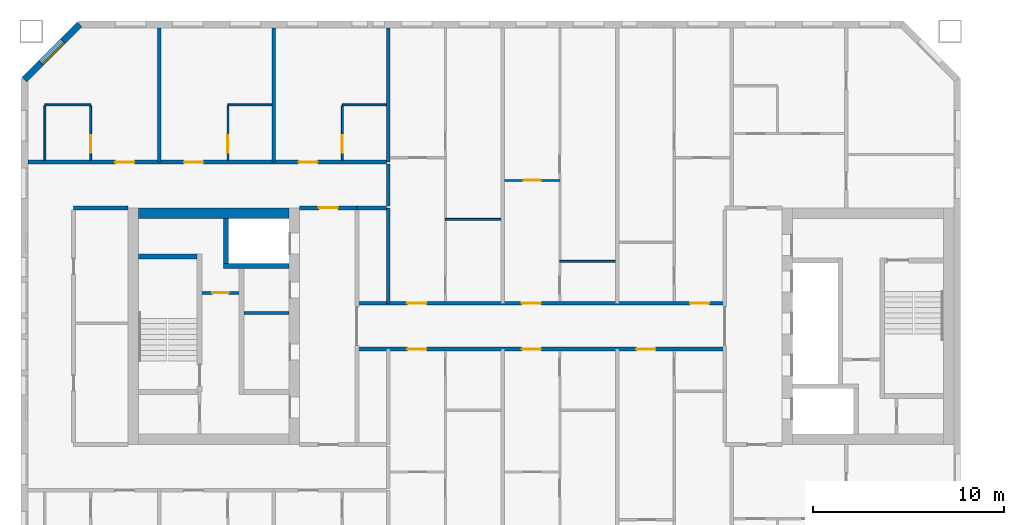
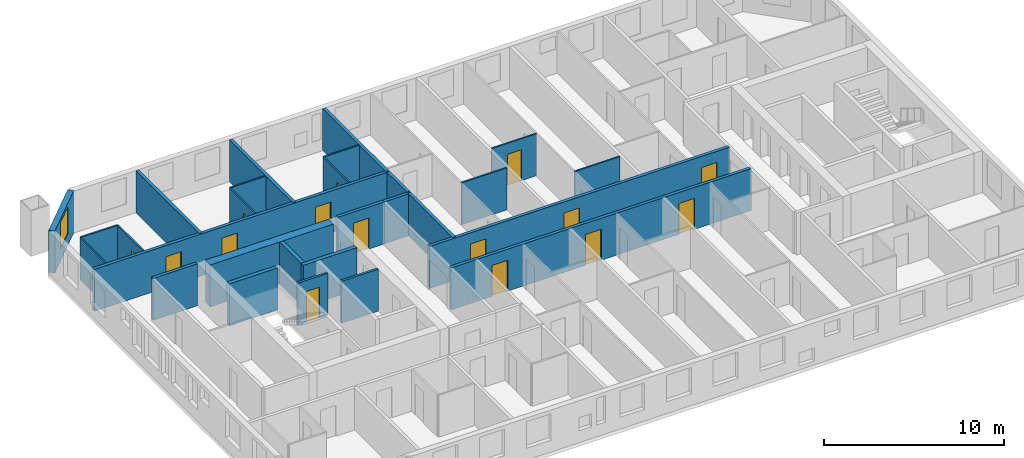
# One storey, part 5 of 16: 28 walls, 15 doors, 1 window, 16 openings.
"""IFC4 building model written with IfcOpenShell, lengths in metres."""

from ifc_helpers import new_model, si_unit, direction, frame, frame_2d, origin, place, context, subcontext, project, spatial, rectangle, extrude, material, layer, layer_set, type_object, element, fill, save


model = new_model("IFC4")

# Units and contexts
model_context = context("Model", 3, precision=1e-05, world=origin(), true_north=direction((0.0, 1.0)))
body_context = subcontext(model_context, "Body", "Model", "MODEL_VIEW")
ifc_project = project(units=[si_unit("LENGTHUNIT", "METRE"), si_unit("AREAUNIT", "SQUARE_METRE"), si_unit("VOLUMEUNIT", "CUBIC_METRE"), si_unit("PLANEANGLEUNIT", "RADIAN"), si_unit("MASSUNIT", "GRAM", prefix="KILO")], contexts=[model_context])

# Site, building, storey
site_placement = place(None, origin())
site = spatial("IfcSite", under=ifc_project, at=site_placement, CompositionType="ELEMENT")
building_placement = place(site_placement, origin())
building = spatial("IfcBuilding", under=site, at=building_placement, Name="Tuart Gate Housing", CompositionType="ELEMENT")
storey_placement = place(building_placement, frame((0.0, 0.0, 133.0)))
storey = spatial("IfcBuildingStorey", under=building, at=storey_placement, Name="L37", CompositionType="ELEMENT", Elevation=133.0)

# Wall, opening, window
ifc_material_1 = material(Name="Brick", Category="masonry")
ifc_layer_1 = layer(ifc_material_1, 0.360107421875)
ifc_layer_set_1 = layer_set([ifc_layer_1], Name="Brick pier and spandrel wall 360")
wall_type_1 = type_object("IfcWallType", Name="Brick pier and spandrel wall 360", PredefinedType="STANDARD", material=ifc_layer_set_1)
wall_1_placement = place(storey_placement, frame((29.82470703125, 85.820068359375, 0.0), z_axis=(0.0, 0.0, 1.0), x_axis=(-0.707106781187, -0.707106781187, 0.0)))
wall_1 = element("IfcWall", 1, at=wall_1_placement, inside=storey, type_object=wall_type_1, Name="External wall A-NW L37", PredefinedType="STANDARD", context=body_context, shape_type="SweptSolid", body=[
    extrude(rectangle(XDim=4.09375, YDim=0.360107421875, at=frame_2d((2.046875, 0.0))), origin(), (0.0, 0.0, 1.0), 2.85009765625),
])
opening_1_placement = place(wall_1_placement, frame((1.2470703125, 0.0, 0.800048828125)))
opening_1 = element("IfcOpeningElement", 2, at=opening_1_placement, cuts=wall_1, Name="Opening W1", PredefinedType="OPENING", context=body_context, shape_type="SweptSolid", body=[
    extrude(rectangle(XDim=1.60009765625, YDim=1.800048828125, at=frame_2d((0.800048828125, 0.89990234375))), frame((0.0, 0.18994140625, 0.0), z_axis=(0.0, -1.0, 0.0), x_axis=(1.0, 0.0, 0.0)), (0.0, 0.0, 1.0), 0.380126953125),
])
ifc_material_2 = material(Name="Aluminium frame with clear glass", Category="aluminium")
window_type = type_object("IfcWindowType", Name="Punched window 1600 x 1800", PartitioningType="SINGLE_PANEL", PredefinedType="WINDOW", material=ifc_material_2)
window_placement = place(opening_1_placement, origin())
window = element("IfcWindow", 3, at=window_placement, inside=storey, type_object=window_type, Name="Window W1", OverallHeight=1.800048828125, OverallWidth=1.60009765625, PartitioningType="SINGLE_PANEL", PredefinedType="WINDOW", context=body_context, shape_type="SweptSolid", body=[
    extrude(rectangle(XDim=1.60009765625, YDim=1.800048828125, at=frame_2d((0.800048828125, 0.89990234375))), frame((0.0, 0.150146484375, 0.0), z_axis=(0.0, -1.0, 0.0), x_axis=(1.0, 0.0, 0.0)), (0.0, 0.0, 1.0), 0.06005859375),
])
fill(opening_1, window)

# Wall, opening, door
ifc_material_3 = material(Name="Plasterboard partition")
ifc_layer_2 = layer(ifc_material_3, 0.14990234375)
ifc_layer_set_2 = layer_set([ifc_layer_2], Name="Core partition 150")
wall_type_2 = type_object("IfcWallType", Name="Core partition 150", PredefinedType="PARTITIONING", material=ifc_layer_set_2)
wall_2_placement = place(storey_placement, frame((38.18505859375, 71.75, 0.0), z_axis=(0.0, 0.0, 1.0), x_axis=(-1.0, 0.0, 0.0)))
wall_2 = element("IfcWall", 4, at=wall_2_placement, inside=storey, type_object=wall_type_2, Name="Core partition AK.3", PredefinedType="PARTITIONING", context=body_context, shape_type="SweptSolid", body=[
    extrude(rectangle(XDim=1.949951171875, YDim=0.14990234375, at=frame_2d((0.97509765625, 0.0))), origin(), (0.0, 0.0, 1.0), 2.85009765625),
])
opening_2_placement = place(wall_2_placement, frame((0.550048828125, 0.0, 0.0)))
opening_2 = element("IfcOpeningElement", 5, at=opening_2_placement, cuts=wall_2, Name="Opening D1424", PredefinedType="OPENING", context=body_context, shape_type="SweptSolid", body=[
    extrude(rectangle(XDim=0.85009765625, YDim=2.10009765625, at=frame_2d((0.425048828125, 1.050048828125))), frame((0.0, 0.0849609375, 0.0), z_axis=(0.0, -1.0, 0.0), x_axis=(1.0, 0.0, 0.0)), (0.0, 0.0, 1.0), 0.169921875),
])
ifc_material_4 = material(Name="Steel fire door", Category="steel")
door_type_1 = type_object("IfcDoorType", Name="Riser door 850 x 2100 RH", OperationType="SINGLE_SWING_RIGHT", PredefinedType="DOOR", material=ifc_material_4)
door_1_placement = place(opening_2_placement, frame((0.85009765625, 0.0, 0.0), z_axis=(0.0, 0.0, 1.0), x_axis=(-1.0, 0.0, 0.0)))
door_1 = element("IfcDoor", 6, at=door_1_placement, inside=storey, type_object=door_type_1, Name="Service room door AK.E1", OperationType="SINGLE_SWING_RIGHT", OverallHeight=2.10009765625, OverallWidth=0.85009765625, PredefinedType="DOOR", context=body_context, shape_type="SweptSolid", body=[
    extrude(rectangle(XDim=0.85009765625, YDim=2.10009765625, at=frame_2d((0.425048828125, 1.050048828125))), frame((0.0, 0.025146484375, 0.0), z_axis=(0.0, -1.0, 0.0), x_axis=(1.0, 0.0, 0.0)), (0.0, 0.0, 1.0), 0.050048828125),
])
fill(opening_2, door_1)

# Walls
wall_3_placement = place(storey_placement, frame((40.81005859375, 70.699951171875, 0.0), z_axis=(0.0, 0.0, 1.0), x_axis=(-1.0, 0.0, 0.0)))
element("IfcWall", 7, at=wall_3_placement, inside=storey, type_object=wall_type_2, Name="Core partition AK.4", PredefinedType="PARTITIONING", context=body_context, shape_type="SweptSolid", body=[
    extrude(rectangle(XDim=2.375, YDim=0.14990234375, at=frame_2d((1.1875, 0.0))), origin(), (0.0, 0.0, 1.0), 2.85009765625),
])
ifc_material_5 = material(Name="Concrete C50", Category="concrete")
ifc_layer_3 = layer(ifc_material_5, 0.25)
ifc_layer_set_3 = layer_set([ifc_layer_3], Name="Core wall 250 C50")
wall_type_3 = type_object("IfcWallType", Name="Core wall 250 C50", PredefinedType="SHEAR", material=ifc_layer_set_3)
wall_4_placement = place(storey_placement, frame((35.985107421875, 73.64990234375, 0.0), z_axis=(0.0, 0.0, 1.0), x_axis=(-1.0, 0.0, 0.0)))
element("IfcWall", 8, at=wall_4_placement, inside=storey, type_object=wall_type_3, Name="Core wall AK.1", PredefinedType="SHEAR", context=body_context, shape_type="SweptSolid", body=[
    extrude(rectangle(XDim=3.0751953125, YDim=0.25, at=frame_2d((1.53759765625, 0.0))), origin(), (0.0, 0.0, 1.0), 2.85009765625),
])
wall_5_placement = place(storey_placement, frame((40.81005859375, 73.14990234375, 0.0), z_axis=(0.0, 0.0, 1.0), x_axis=(-1.0, 0.0, 0.0)))
element("IfcWall", 9, at=wall_5_placement, inside=storey, type_object=wall_type_3, Name="Core wall AK.2", PredefinedType="SHEAR", context=body_context, shape_type="SweptSolid", body=[
    extrude(rectangle(XDim=3.445068359375, YDim=0.25, at=frame_2d((1.72265625, 0.0))), origin(), (0.0, 0.0, 1.0), 2.85009765625),
])
wall_6_placement = place(storey_placement, frame((37.489990234375, 75.64990234375, 0.0), z_axis=(0.0, 0.0, 1.0), x_axis=(0.0, -1.0, 0.0)))
element("IfcWall", 10, at=wall_6_placement, inside=storey, type_object=wall_type_3, Name="Core wall AK.8", PredefinedType="SHEAR", context=body_context, shape_type="SweptSolid", body=[
    extrude(rectangle(XDim=2.375, YDim=0.25, at=frame_2d((1.1875, 0.0))), origin(), (0.0, 0.0, 1.0), 2.85009765625),
])
ifc_material_6 = material(Name="Concrete C50", Category="concrete")
ifc_layer_4 = layer(ifc_material_6, 0.550048828125)
ifc_layer_set_4 = layer_set([ifc_layer_4], Name="Core wall 550 C50")
wall_type_4 = type_object("IfcWallType", Name="Core wall 550 C50", PredefinedType="SHEAR", material=ifc_layer_set_4)
wall_7_placement = place(storey_placement, frame((40.81005859375, 75.925048828125, 0.0), z_axis=(0.0, 0.0, 1.0), x_axis=(-1.0, 0.0, 0.0)))
element("IfcWall", 11, at=wall_7_placement, inside=storey, type_object=wall_type_4, Name="Core wall AK south", PredefinedType="SHEAR", context=body_context, shape_type="SweptSolid", body=[
    extrude(rectangle(XDim=7.900146484375, YDim=0.550048828125, at=frame_2d((3.9501953125, 0.0))), origin(), (0.0, 0.0, 1.0), 2.85009765625),
])

# Wall, openings, doors
ifc_material_7 = material(Name="Concrete masonry 15 MPa", Category="masonry")
ifc_layer_5 = layer(ifc_material_7, 0.199951171875)
ifc_layer_set_5 = layer_set([ifc_layer_5], Name="Corridor wall masonry 200")
wall_type_5 = type_object("IfcWallType", Name="Corridor wall masonry 200", PredefinedType="PARTITIONING", material=ifc_layer_set_5)
wall_8_placement = place(storey_placement, frame((44.360107421875, 68.800048828125, 0.0), z_axis=(0.0, 0.0, 1.0), x_axis=(1.0, 0.0, 0.0)))
wall_8 = element("IfcWall", 12, at=wall_8_placement, inside=storey, type_object=wall_type_5, Name="Corridor wall masonry 200", PredefinedType="PARTITIONING", context=body_context, shape_type="SweptSolid", body=[
    extrude(rectangle(XDim=19.27978515625, YDim=0.199951171875, at=frame_2d((9.639892578125, 0.0))), origin(), (0.0, 0.0, 1.0), 2.85009765625),
])
opening_3_placement = place(wall_8_placement, frame((14.639892578125, 0.0, 0.0)))
opening_3 = element("IfcOpeningElement", 13, at=opening_3_placement, cuts=wall_8, Name="Opening D1437", PredefinedType="OPENING", context=body_context, shape_type="SweptSolid", body=[
    extrude(rectangle(XDim=1.0, YDim=2.10009765625, at=frame_2d((0.5, 1.050048828125))), frame((0.0, 0.10986328125, 0.0), z_axis=(0.0, -1.0, 0.0), x_axis=(1.0, 0.0, 0.0)), (0.0, 0.0, 1.0), 0.219970703125),
])
opening_4_placement = place(wall_8_placement, frame((8.639892578125, 0.0, 0.0)))
opening_4 = element("IfcOpeningElement", 14, at=opening_4_placement, cuts=wall_8, Name="Opening D1438", PredefinedType="OPENING", context=body_context, shape_type="SweptSolid", body=[
    extrude(rectangle(XDim=1.0, YDim=2.10009765625, at=frame_2d((0.5, 1.050048828125))), frame((0.0, 0.10986328125, 0.0), z_axis=(0.0, -1.0, 0.0), x_axis=(1.0, 0.0, 0.0)), (0.0, 0.0, 1.0), 0.219970703125),
])
opening_5_placement = place(wall_8_placement, frame((2.639892578125, 0.0, 0.0)))
opening_5 = element("IfcOpeningElement", 15, at=opening_5_placement, cuts=wall_8, Name="Opening D1439", PredefinedType="OPENING", context=body_context, shape_type="SweptSolid", body=[
    extrude(rectangle(XDim=1.0, YDim=2.10009765625, at=frame_2d((0.5, 1.050048828125))), frame((0.0, 0.10986328125, 0.0), z_axis=(0.0, -1.0, 0.0), x_axis=(1.0, 0.0, 0.0)), (0.0, 0.0, 1.0), 0.219970703125),
])
ifc_material_8 = material(Name="Timber door leaf in steel frame", Category="steel")
door_type_2 = type_object("IfcDoorType", Name="Flat entrance door 1000 RH", OperationType="SINGLE_SWING_RIGHT", PredefinedType="DOOR", material=ifc_material_8)
door_2_placement = place(opening_3_placement, frame((1.0, 0.0, 0.0), z_axis=(0.0, 0.0, 1.0), x_axis=(-1.0, 0.0, 0.0)))
door_2 = element("IfcDoor", 16, at=door_2_placement, inside=storey, type_object=door_type_2, Name="Flat entrance door", OperationType="SINGLE_SWING_RIGHT", OverallHeight=2.10009765625, OverallWidth=1.0, PredefinedType="DOOR", context=body_context, shape_type="SweptSolid", body=[
    extrude(rectangle(XDim=1.0, YDim=2.10009765625, at=frame_2d((0.5, 1.050048828125))), frame((0.0, 0.025146484375, 0.0), z_axis=(0.0, -1.0, 0.0), x_axis=(1.0, 0.0, 0.0)), (0.0, 0.0, 1.0), 0.050048828125),
])
fill(opening_3, door_2)
door_3_placement = place(opening_4_placement, frame((1.0, 0.0, 0.0), z_axis=(0.0, 0.0, 1.0), x_axis=(-1.0, 0.0, 0.0)))
door_3 = element("IfcDoor", 17, at=door_3_placement, inside=storey, type_object=door_type_2, Name="Flat entrance door", OperationType="SINGLE_SWING_RIGHT", OverallHeight=2.10009765625, OverallWidth=1.0, PredefinedType="DOOR", context=body_context, shape_type="SweptSolid", body=[
    extrude(rectangle(XDim=1.0, YDim=2.10009765625, at=frame_2d((0.5, 1.050048828125))), frame((0.0, 0.025146484375, 0.0), z_axis=(0.0, -1.0, 0.0), x_axis=(1.0, 0.0, 0.0)), (0.0, 0.0, 1.0), 0.050048828125),
])
fill(opening_4, door_3)
door_4_placement = place(opening_5_placement, frame((1.0, 0.0, 0.0), z_axis=(0.0, 0.0, 1.0), x_axis=(-1.0, 0.0, 0.0)))
door_4 = element("IfcDoor", 18, at=door_4_placement, inside=storey, type_object=door_type_2, Name="Flat entrance door", OperationType="SINGLE_SWING_RIGHT", OverallHeight=2.10009765625, OverallWidth=1.0, PredefinedType="DOOR", context=body_context, shape_type="SweptSolid", body=[
    extrude(rectangle(XDim=1.0, YDim=2.10009765625, at=frame_2d((0.5, 1.050048828125))), frame((0.0, 0.025146484375, 0.0), z_axis=(0.0, -1.0, 0.0), x_axis=(1.0, 0.0, 0.0)), (0.0, 0.0, 1.0), 0.050048828125),
])
fill(opening_5, door_4)

wall_9_placement = place(storey_placement, frame((44.360107421875, 71.199951171875, 0.0), z_axis=(0.0, 0.0, 1.0), x_axis=(1.0, 0.0, 0.0)))
wall_9 = element("IfcWall", 19, at=wall_9_placement, inside=storey, type_object=wall_type_5, Name="Corridor wall masonry 200", PredefinedType="PARTITIONING", context=body_context, shape_type="SweptSolid", body=[
    extrude(rectangle(XDim=19.27978515625, YDim=0.199951171875, at=frame_2d((9.639892578125, 0.0))), origin(), (0.0, 0.0, 1.0), 2.85009765625),
])
opening_6_placement = place(wall_9_placement, frame((17.4599609375, 0.0, 0.0)))
opening_6 = element("IfcOpeningElement", 20, at=opening_6_placement, cuts=wall_9, Name="Opening D1425", PredefinedType="OPENING", context=body_context, shape_type="SweptSolid", body=[
    extrude(rectangle(XDim=1.0, YDim=2.10009765625, at=frame_2d((0.5, 1.050048828125))), frame((0.0, 0.10986328125, 0.0), z_axis=(0.0, -1.0, 0.0), x_axis=(1.0, 0.0, 0.0)), (0.0, 0.0, 1.0), 0.219970703125),
])
opening_7_placement = place(wall_9_placement, frame((8.639892578125, 0.0, 0.0)))
opening_7 = element("IfcOpeningElement", 21, at=opening_7_placement, cuts=wall_9, Name="Opening D1426", PredefinedType="OPENING", context=body_context, shape_type="SweptSolid", body=[
    extrude(rectangle(XDim=1.0, YDim=2.10009765625, at=frame_2d((0.5, 1.050048828125))), frame((0.0, 0.10986328125, 0.0), z_axis=(0.0, -1.0, 0.0), x_axis=(1.0, 0.0, 0.0)), (0.0, 0.0, 1.0), 0.219970703125),
])
opening_8_placement = place(wall_9_placement, frame((2.639892578125, 0.0, 0.0)))
opening_8 = element("IfcOpeningElement", 22, at=opening_8_placement, cuts=wall_9, Name="Opening D1427", PredefinedType="OPENING", context=body_context, shape_type="SweptSolid", body=[
    extrude(rectangle(XDim=1.0, YDim=2.10009765625, at=frame_2d((0.5, 1.050048828125))), frame((0.0, 0.10986328125, 0.0), z_axis=(0.0, -1.0, 0.0), x_axis=(1.0, 0.0, 0.0)), (0.0, 0.0, 1.0), 0.219970703125),
])
ifc_material_9 = material(Name="Timber door leaf in steel frame", Category="steel")
door_type_3 = type_object("IfcDoorType", Name="Flat entrance door 1000", OperationType="SINGLE_SWING_LEFT", PredefinedType="DOOR", material=ifc_material_9)
door_5_placement = place(opening_6_placement, origin())
door_5 = element("IfcDoor", 23, at=door_5_placement, inside=storey, type_object=door_type_3, Name="Flat entrance door", OperationType="SINGLE_SWING_LEFT", OverallHeight=2.10009765625, OverallWidth=1.0, PredefinedType="DOOR", context=body_context, shape_type="SweptSolid", body=[
    extrude(rectangle(XDim=1.0, YDim=2.10009765625, at=frame_2d((0.5, 1.050048828125))), frame((0.0, 0.02490234375, 0.0), z_axis=(0.0, -1.0, 0.0), x_axis=(1.0, 0.0, 0.0)), (0.0, 0.0, 1.0), 0.050048828125),
])
fill(opening_6, door_5)
door_6_placement = place(opening_7_placement, origin())
door_6 = element("IfcDoor", 24, at=door_6_placement, inside=storey, type_object=door_type_3, Name="Flat entrance door", OperationType="SINGLE_SWING_LEFT", OverallHeight=2.10009765625, OverallWidth=1.0, PredefinedType="DOOR", context=body_context, shape_type="SweptSolid", body=[
    extrude(rectangle(XDim=1.0, YDim=2.10009765625, at=frame_2d((0.5, 1.050048828125))), frame((0.0, 0.02490234375, 0.0), z_axis=(0.0, -1.0, 0.0), x_axis=(1.0, 0.0, 0.0)), (0.0, 0.0, 1.0), 0.050048828125),
])
fill(opening_7, door_6)
door_7_placement = place(opening_8_placement, origin())
door_7 = element("IfcDoor", 25, at=door_7_placement, inside=storey, type_object=door_type_3, Name="Flat entrance door", OperationType="SINGLE_SWING_LEFT", OverallHeight=2.10009765625, OverallWidth=1.0, PredefinedType="DOOR", context=body_context, shape_type="SweptSolid", body=[
    extrude(rectangle(XDim=1.0, YDim=2.10009765625, at=frame_2d((0.5, 1.050048828125))), frame((0.0, 0.02490234375, 0.0), z_axis=(0.0, -1.0, 0.0), x_axis=(1.0, 0.0, 0.0)), (0.0, 0.0, 1.0), 0.050048828125),
])
fill(opening_8, door_7)

# Walls
wall_10_placement = place(storey_placement, frame((29.510009765625, 76.199951171875, 0.0), z_axis=(0.0, 0.0, 1.0), x_axis=(1.0, 0.0, 0.0)))
element("IfcWall", 26, at=wall_10_placement, inside=storey, type_object=wall_type_5, Name="Corridor wall masonry 200", PredefinedType="PARTITIONING", context=body_context, shape_type="SweptSolid", body=[
    extrude(rectangle(XDim=2.85009765625, YDim=0.199951171875, at=frame_2d((1.425048828125, 0.0))), origin(), (0.0, 0.0, 1.0), 2.85009765625),
])
wall_11_placement = place(storey_placement, frame((44.360107421875, 76.199951171875, 0.0), z_axis=(0.0, 0.0, 1.0), x_axis=(1.0, 0.0, 0.0)))
element("IfcWall", 27, at=wall_11_placement, inside=storey, type_object=wall_type_5, Name="Corridor wall masonry 200", PredefinedType="PARTITIONING", context=body_context, shape_type="SweptSolid", body=[
    extrude(rectangle(XDim=1.539794921875, YDim=0.199951171875, at=frame_2d((0.77001953125, 0.0))), origin(), (0.0, 0.0, 1.0), 2.85009765625),
])

# Wall, openings, doors
wall_12_placement = place(storey_placement, frame((27.110107421875, 78.60009765625, 0.0), z_axis=(0.0, 0.0, 1.0), x_axis=(1.0, 0.0, 0.0)))
wall_12 = element("IfcWall", 28, at=wall_12_placement, inside=storey, type_object=wall_type_5, Name="Corridor wall masonry 200", PredefinedType="PARTITIONING", context=body_context, shape_type="SweptSolid", body=[
    extrude(rectangle(XDim=18.789794921875, YDim=0.199951171875, at=frame_2d((9.39501953125, 0.0))), origin(), (0.0, 0.0, 1.0), 2.85009765625),
])
opening_9_placement = place(wall_12_placement, frame((14.18994140625, 0.0, 0.0)))
opening_9 = element("IfcOpeningElement", 29, at=opening_9_placement, cuts=wall_12, Name="Opening D1411", PredefinedType="OPENING", context=body_context, shape_type="SweptSolid", body=[
    extrude(rectangle(XDim=1.0, YDim=2.10009765625, at=frame_2d((0.5, 1.050048828125))), frame((0.0, 0.10986328125, 0.0), z_axis=(0.0, -1.0, 0.0), x_axis=(1.0, 0.0, 0.0)), (0.0, 0.0, 1.0), 0.219970703125),
])
opening_10_placement = place(wall_12_placement, frame((8.18994140625, 0.0, 0.0)))
opening_10 = element("IfcOpeningElement", 30, at=opening_10_placement, cuts=wall_12, Name="Opening D1412", PredefinedType="OPENING", context=body_context, shape_type="SweptSolid", body=[
    extrude(rectangle(XDim=1.0, YDim=2.10009765625, at=frame_2d((0.5, 1.050048828125))), frame((0.0, 0.10986328125, 0.0), z_axis=(0.0, -1.0, 0.0), x_axis=(1.0, 0.0, 0.0)), (0.0, 0.0, 1.0), 0.219970703125),
])
opening_11_placement = place(wall_12_placement, frame((4.590087890625, 0.0, 0.0)))
opening_11 = element("IfcOpeningElement", 31, at=opening_11_placement, cuts=wall_12, Name="Opening D1413", PredefinedType="OPENING", context=body_context, shape_type="SweptSolid", body=[
    extrude(rectangle(XDim=1.0, YDim=2.10009765625, at=frame_2d((0.5, 1.050048828125))), frame((0.0, 0.10986328125, 0.0), z_axis=(0.0, -1.0, 0.0), x_axis=(1.0, 0.0, 0.0)), (0.0, 0.0, 1.0), 0.219970703125),
])
door_8_placement = place(opening_9_placement, origin())
door_8 = element("IfcDoor", 32, at=door_8_placement, inside=storey, type_object=door_type_3, Name="Flat entrance door", OperationType="SINGLE_SWING_LEFT", OverallHeight=2.10009765625, OverallWidth=1.0, PredefinedType="DOOR", context=body_context, shape_type="SweptSolid", body=[
    extrude(rectangle(XDim=1.0, YDim=2.10009765625, at=frame_2d((0.5, 1.050048828125))), frame((0.0, 0.02490234375, 0.0), z_axis=(0.0, -1.0, 0.0), x_axis=(1.0, 0.0, 0.0)), (0.0, 0.0, 1.0), 0.050048828125),
])
fill(opening_9, door_8)
door_9_placement = place(opening_10_placement, origin())
door_9 = element("IfcDoor", 33, at=door_9_placement, inside=storey, type_object=door_type_3, Name="Flat entrance door", OperationType="SINGLE_SWING_LEFT", OverallHeight=2.10009765625, OverallWidth=1.0, PredefinedType="DOOR", context=body_context, shape_type="SweptSolid", body=[
    extrude(rectangle(XDim=1.0, YDim=2.10009765625, at=frame_2d((0.5, 1.050048828125))), frame((0.0, 0.02490234375, 0.0), z_axis=(0.0, -1.0, 0.0), x_axis=(1.0, 0.0, 0.0)), (0.0, 0.0, 1.0), 0.050048828125),
])
fill(opening_10, door_9)
door_10_placement = place(opening_11_placement, origin())
door_10 = element("IfcDoor", 34, at=door_10_placement, inside=storey, type_object=door_type_3, Name="Flat entrance door", OperationType="SINGLE_SWING_LEFT", OverallHeight=2.10009765625, OverallWidth=1.0, PredefinedType="DOOR", context=body_context, shape_type="SweptSolid", body=[
    extrude(rectangle(XDim=1.0, YDim=2.10009765625, at=frame_2d((0.5, 1.050048828125))), frame((0.0, 0.02490234375, 0.0), z_axis=(0.0, -1.0, 0.0), x_axis=(1.0, 0.0, 0.0)), (0.0, 0.0, 1.0), 0.050048828125),
])
fill(opening_11, door_10)

# Wall
wall_13_placement = place(storey_placement, frame((46.0, 76.300048828125, 0.0), z_axis=(0.0, 0.0, 1.0), x_axis=(0.0, 1.0, 0.0)))
element("IfcWall", 35, at=wall_13_placement, inside=storey, type_object=wall_type_5, Name="Corridor wall masonry 200", PredefinedType="PARTITIONING", context=body_context, shape_type="SweptSolid", body=[
    extrude(rectangle(XDim=2.199951171875, YDim=0.199951171875, at=frame_2d((1.10009765625, 0.0))), origin(), (0.0, 0.0, 1.0), 2.85009765625),
])

# Wall, opening, door
ifc_material_10 = material(Name="Concrete masonry 15 MPa", Category="masonry")
ifc_layer_6 = layer(ifc_material_10, 0.199951171875)
ifc_layer_set_6 = layer_set([ifc_layer_6], Name="Enclosure wall masonry 200")
wall_type_6 = type_object("IfcWallType", Name="Enclosure wall masonry 200", PredefinedType="PARTITIONING", material=ifc_layer_set_6)
wall_14_placement = place(storey_placement, frame((41.360107421875, 76.199951171875, 0.0), z_axis=(0.0, 0.0, 1.0), x_axis=(1.0, 0.0, 0.0)))
wall_14 = element("IfcWall", 36, at=wall_14_placement, inside=storey, type_object=wall_type_6, Name="Enclosure wall masonry 200", PredefinedType="PARTITIONING", context=body_context, shape_type="SweptSolid", body=[
    extrude(rectangle(XDim=3.0, YDim=0.199951171875, at=frame_2d((1.5, 0.0))), origin(), (0.0, 0.0, 1.0), 2.85009765625),
])
opening_12_placement = place(wall_14_placement, frame((1.0, 0.0, 0.0)))
opening_12 = element("IfcOpeningElement", 37, at=opening_12_placement, cuts=wall_14, Name="Opening D1421", PredefinedType="OPENING", context=body_context, shape_type="SweptSolid", body=[
    extrude(rectangle(XDim=1.0, YDim=2.10009765625, at=frame_2d((0.5, 1.050048828125))), frame((0.0, 0.10986328125, 0.0), z_axis=(0.0, -1.0, 0.0), x_axis=(1.0, 0.0, 0.0)), (0.0, 0.0, 1.0), 0.219970703125),
])
ifc_material_11 = material(Name="Timber door leaf in steel frame", Category="steel")
door_type_4 = type_object("IfcDoorType", Name="Fire door 1000 RH", OperationType="SINGLE_SWING_RIGHT", PredefinedType="DOOR", material=ifc_material_11)
door_11_placement = place(opening_12_placement, origin())
door_11 = element("IfcDoor", 38, at=door_11_placement, inside=storey, type_object=door_type_4, Name="Fire door", OperationType="SINGLE_SWING_RIGHT", OverallHeight=2.10009765625, OverallWidth=1.0, PredefinedType="DOOR", context=body_context, shape_type="SweptSolid", body=[
    extrude(rectangle(XDim=1.0, YDim=2.10009765625, at=frame_2d((0.5, 1.050048828125))), frame((0.0, 0.02490234375, 0.0), z_axis=(0.0, -1.0, 0.0), x_axis=(1.0, 0.0, 0.0)), (0.0, 0.0, 1.0), 0.050048828125),
])
fill(opening_12, door_11)

# Walls
ifc_material_12 = material(Name="Gypsum board on steel studs", Category="steel")
ifc_layer_7 = layer(ifc_material_12, 0.10009765625)
ifc_layer_set_7 = layer_set([ifc_layer_7], Name="Partition 100")
wall_type_7 = type_object("IfcWallType", Name="Partition 100", PredefinedType="PARTITIONING", material=ifc_layer_set_7)
for number, where, z_axis, x_axis, name in (
    (39, (55.0, 73.39990234375, 0.0), (0.0, 0.0, 1.0), (1.0, 0.0, 0.0), "Partition 100"),
    (40, (49.0, 75.60009765625, 0.0), (0.0, 0.0, 1.0), (1.0, 0.0, 0.0), "Partition 100"),
):
    element("IfcWall", number, at=place(storey_placement, frame(where, z_axis=z_axis, x_axis=x_axis)), inside=storey, type_object=wall_type_7, Name=name, PredefinedType="PARTITIONING", context=body_context, shape_type="SweptSolid", body=[
        extrude(rectangle(XDim=2.89990234375, YDim=0.10009765625, at=frame_2d((1.449951171875, 0.0))), origin(), (0.0, 0.0, 1.0), 2.85009765625),
    ])

# Wall, opening, door
wall_15_placement = place(storey_placement, frame((52.10009765625, 77.639892578125, 0.0), z_axis=(0.0, 0.0, 1.0), x_axis=(1.0, 0.0, 0.0)))
wall_15 = element("IfcWall", 41, at=wall_15_placement, inside=storey, type_object=wall_type_7, Name="Partition 100", PredefinedType="PARTITIONING", context=body_context, shape_type="SweptSolid", body=[
    extrude(rectangle(XDim=2.89990234375, YDim=0.10009765625, at=frame_2d((1.449951171875, 0.0))), origin(), (0.0, 0.0, 1.0), 2.85009765625),
])
opening_13_placement = place(wall_15_placement, frame((1.0, 0.0, 0.0)))
opening_13 = element("IfcOpeningElement", 42, at=opening_13_placement, cuts=wall_15, Name="Opening D1420", PredefinedType="OPENING", context=body_context, shape_type="SweptSolid", body=[
    extrude(rectangle(XDim=0.89990234375, YDim=2.10009765625, at=frame_2d((0.449951171875, 1.050048828125))), frame((0.0, 0.06005859375, 0.0), z_axis=(0.0, -1.0, 0.0), x_axis=(1.0, 0.0, 0.0)), (0.0, 0.0, 1.0), 0.1201171875),
])
ifc_material_13 = material(Name="Timber door leaf in steel frame", Category="steel")
door_type_5 = type_object("IfcDoorType", Name="Internal door 900", OperationType="SINGLE_SWING_LEFT", PredefinedType="DOOR", material=ifc_material_13)
door_12_placement = place(opening_13_placement, frame((0.89990234375, 0.0, 0.0), z_axis=(0.0, 0.0, 1.0), x_axis=(-1.0, 0.0, 0.0)))
door_12 = element("IfcDoor", 43, at=door_12_placement, inside=storey, type_object=door_type_5, Name="Internal door", OperationType="SINGLE_SWING_LEFT", OverallHeight=2.10009765625, OverallWidth=0.89990234375, PredefinedType="DOOR", context=body_context, shape_type="SweptSolid", body=[
    extrude(rectangle(XDim=0.89990234375, YDim=2.10009765625, at=frame_2d((0.449951171875, 1.050048828125))), frame((0.0, 0.025146484375, 0.0), z_axis=(0.0, -1.0, 0.0), x_axis=(1.0, 0.0, 0.0)), (0.0, 0.0, 1.0), 0.050048828125),
])
fill(opening_13, door_12)

# Walls
wall_16_placement = place(storey_placement, frame((28.0, 81.60009765625, 0.0), z_axis=(0.0, 0.0, 1.0), x_axis=(1.0, 0.0, 0.0)))
element("IfcWall", 44, at=wall_16_placement, inside=storey, type_object=wall_type_7, Name="Partition 100", PredefinedType="PARTITIONING", context=body_context, shape_type="SweptSolid", body=[
    extrude(rectangle(XDim=2.39990234375, YDim=0.10009765625, at=frame_2d((1.199951171875, 0.0))), origin(), (0.0, 0.0, 1.0), 2.85009765625),
])
for number, where, z_axis, x_axis, name in (
    (45, (37.60009765625, 81.60009765625, 0.0), (0.0, 0.0, 1.0), (1.0, 0.0, 0.0), "Partition 100"),
    (46, (43.60009765625, 81.60009765625, 0.0), (0.0, 0.0, 1.0), (1.0, 0.0, 0.0), "Partition 100"),
):
    element("IfcWall", number, at=place(storey_placement, frame(where, z_axis=z_axis, x_axis=x_axis)), inside=storey, type_object=wall_type_7, Name=name, PredefinedType="PARTITIONING", context=body_context, shape_type="SweptSolid", body=[
        extrude(rectangle(XDim=2.2998046875, YDim=0.10009765625, at=frame_2d((1.14990234375, 0.0))), origin(), (0.0, 0.0, 1.0), 2.85009765625),
    ])
wall_17_placement = place(storey_placement, frame((28.0, 78.699951171875, 0.0), z_axis=(0.0, 0.0, 1.0), x_axis=(0.0, 1.0, 0.0)))
element("IfcWall", 47, at=wall_17_placement, inside=storey, type_object=wall_type_7, Name="Partition 100", PredefinedType="PARTITIONING", context=body_context, shape_type="SweptSolid", body=[
    extrude(rectangle(XDim=2.85009765625, YDim=0.10009765625, at=frame_2d((1.425048828125, 0.0))), origin(), (0.0, 0.0, 1.0), 2.85009765625),
])

# Wall, opening, door
wall_18_placement = place(storey_placement, frame((30.39990234375, 78.699951171875, 0.0), z_axis=(0.0, 0.0, 1.0), x_axis=(0.0, 1.0, 0.0)))
wall_18 = element("IfcWall", 48, at=wall_18_placement, inside=storey, type_object=wall_type_7, Name="Partition 100", PredefinedType="PARTITIONING", context=body_context, shape_type="SweptSolid", body=[
    extrude(rectangle(XDim=2.85009765625, YDim=0.10009765625, at=frame_2d((1.425048828125, 0.0))), origin(), (0.0, 0.0, 1.0), 2.85009765625),
])
opening_14_placement = place(wall_18_placement, frame((0.39990234375, 0.0, 0.0)))
opening_14 = element("IfcOpeningElement", 49, at=opening_14_placement, cuts=wall_18, Name="Opening D1404", PredefinedType="OPENING", context=body_context, shape_type="SweptSolid", body=[
    extrude(rectangle(XDim=0.89990234375, YDim=2.10009765625, at=frame_2d((0.449951171875, 1.050048828125))), frame((0.0, 0.06005859375, 0.0), z_axis=(0.0, -1.0, 0.0), x_axis=(1.0, 0.0, 0.0)), (0.0, 0.0, 1.0), 0.1201171875),
])
ifc_material_14 = material(Name="Timber door leaf in steel frame", Category="steel")
door_type_6 = type_object("IfcDoorType", Name="Bathroom door 900", OperationType="SINGLE_SWING_LEFT", PredefinedType="DOOR", material=ifc_material_14)
door_13_placement = place(opening_14_placement, origin())
door_13 = element("IfcDoor", 50, at=door_13_placement, inside=storey, type_object=door_type_6, Name="Bathroom door", OperationType="SINGLE_SWING_LEFT", OverallHeight=2.10009765625, OverallWidth=0.89990234375, PredefinedType="DOOR", context=body_context, shape_type="SweptSolid", body=[
    extrude(rectangle(XDim=0.89990234375, YDim=2.10009765625, at=frame_2d((0.449951171875, 1.050048828125))), frame((0.0, 0.02490234375, 0.0), z_axis=(0.0, -1.0, 0.0), x_axis=(1.0, 0.0, 0.0)), (0.0, 0.0, 1.0), 0.050048828125),
])
fill(opening_14, door_13)

wall_19_placement = place(storey_placement, frame((37.60009765625, 78.699951171875, 0.0), z_axis=(0.0, 0.0, 1.0), x_axis=(0.0, 1.0, 0.0)))
wall_19 = element("IfcWall", 51, at=wall_19_placement, inside=storey, type_object=wall_type_7, Name="Partition 100", PredefinedType="PARTITIONING", context=body_context, shape_type="SweptSolid", body=[
    extrude(rectangle(XDim=2.85009765625, YDim=0.10009765625, at=frame_2d((1.425048828125, 0.0))), origin(), (0.0, 0.0, 1.0), 2.85009765625),
])
opening_15_placement = place(wall_19_placement, frame((0.39990234375, 0.0, 0.0)))
opening_15 = element("IfcOpeningElement", 52, at=opening_15_placement, cuts=wall_19, Name="Opening D1405", PredefinedType="OPENING", context=body_context, shape_type="SweptSolid", body=[
    extrude(rectangle(XDim=0.89990234375, YDim=2.10009765625, at=frame_2d((0.449951171875, 1.050048828125))), frame((0.0, 0.06005859375, 0.0), z_axis=(0.0, -1.0, 0.0), x_axis=(1.0, 0.0, 0.0)), (0.0, 0.0, 1.0), 0.1201171875),
])
ifc_material_15 = material(Name="Timber door leaf in steel frame", Category="steel")
door_type_7 = type_object("IfcDoorType", Name="Bathroom door 900 RH", OperationType="SINGLE_SWING_RIGHT", PredefinedType="DOOR", material=ifc_material_15)
door_14_placement = place(opening_15_placement, frame((0.89990234375, 0.0, 0.0), z_axis=(0.0, 0.0, 1.0), x_axis=(-1.0, 0.0, 0.0)))
door_14 = element("IfcDoor", 53, at=door_14_placement, inside=storey, type_object=door_type_7, Name="Bathroom door", OperationType="SINGLE_SWING_RIGHT", OverallHeight=2.10009765625, OverallWidth=0.89990234375, PredefinedType="DOOR", context=body_context, shape_type="SweptSolid", body=[
    extrude(rectangle(XDim=0.89990234375, YDim=2.10009765625, at=frame_2d((0.449951171875, 1.050048828125))), frame((0.0, 0.025146484375, 0.0), z_axis=(0.0, -1.0, 0.0), x_axis=(1.0, 0.0, 0.0)), (0.0, 0.0, 1.0), 0.050048828125),
])
fill(opening_15, door_14)

wall_20_placement = place(storey_placement, frame((43.60009765625, 78.699951171875, 0.0), z_axis=(0.0, 0.0, 1.0), x_axis=(0.0, 1.0, 0.0)))
wall_20 = element("IfcWall", 54, at=wall_20_placement, inside=storey, type_object=wall_type_7, Name="Partition 100", PredefinedType="PARTITIONING", context=body_context, shape_type="SweptSolid", body=[
    extrude(rectangle(XDim=2.85009765625, YDim=0.10009765625, at=frame_2d((1.425048828125, 0.0))), origin(), (0.0, 0.0, 1.0), 2.85009765625),
])
opening_16_placement = place(wall_20_placement, frame((0.39990234375, 0.0, 0.0)))
opening_16 = element("IfcOpeningElement", 55, at=opening_16_placement, cuts=wall_20, Name="Opening D1406", PredefinedType="OPENING", context=body_context, shape_type="SweptSolid", body=[
    extrude(rectangle(XDim=0.89990234375, YDim=2.10009765625, at=frame_2d((0.449951171875, 1.050048828125))), frame((0.0, 0.06005859375, 0.0), z_axis=(0.0, -1.0, 0.0), x_axis=(1.0, 0.0, 0.0)), (0.0, 0.0, 1.0), 0.1201171875),
])
door_15_placement = place(opening_16_placement, frame((0.89990234375, 0.0, 0.0), z_axis=(0.0, 0.0, 1.0), x_axis=(-1.0, 0.0, 0.0)))
door_15 = element("IfcDoor", 56, at=door_15_placement, inside=storey, type_object=door_type_7, Name="Bathroom door", OperationType="SINGLE_SWING_RIGHT", OverallHeight=2.10009765625, OverallWidth=0.89990234375, PredefinedType="DOOR", context=body_context, shape_type="SweptSolid", body=[
    extrude(rectangle(XDim=0.89990234375, YDim=2.10009765625, at=frame_2d((0.449951171875, 1.050048828125))), frame((0.0, 0.025146484375, 0.0), z_axis=(0.0, -1.0, 0.0), x_axis=(1.0, 0.0, 0.0)), (0.0, 0.0, 1.0), 0.050048828125),
])
fill(opening_16, door_15)

# Walls
ifc_material_16 = material(Name="Concrete C40", Category="concrete")
ifc_layer_8 = layer(ifc_material_16, 0.199951171875)
ifc_layer_set_8 = layer_set([ifc_layer_8], Name="Party wall concrete C40 200")
wall_type_8 = type_object("IfcWallType", Name="Party wall concrete C40 200", PredefinedType="SOLIDWALL", material=ifc_layer_set_8)
for number, where, z_axis, x_axis, name in (
    (57, (34.0, 78.60009765625, 0.0), (0.0, 0.0, 1.0), (0.0, 1.0, 0.0), "Party wall concrete C40 200"),
    (58, (40.0, 78.60009765625, 0.0), (0.0, 0.0, 1.0), (0.0, 1.0, 0.0), "Party wall concrete C40 200"),
):
    element("IfcWall", number, at=place(storey_placement, frame(where, z_axis=z_axis, x_axis=x_axis)), inside=storey, type_object=wall_type_8, Name=name, PredefinedType="SOLIDWALL", context=body_context, shape_type="SweptSolid", body=[
        extrude(rectangle(XDim=7.039794921875, YDim=0.199951171875, at=frame_2d((3.52001953125, 0.0))), origin(), (0.0, 0.0, 1.0), 2.85009765625),
    ])
wall_21_placement = place(storey_placement, frame((46.0, 71.199951171875, 0.0), z_axis=(0.0, 0.0, 1.0), x_axis=(0.0, 1.0, 0.0)))
element("IfcWall", 59, at=wall_21_placement, inside=storey, type_object=wall_type_8, Name="Party wall concrete C40 200", PredefinedType="SOLIDWALL", context=body_context, shape_type="SweptSolid", body=[
    extrude(rectangle(XDim=5.0, YDim=0.199951171875, at=frame_2d((2.5, 0.0))), origin(), (0.0, 0.0, 1.0), 2.85009765625),
])
wall_22_placement = place(storey_placement, frame((46.0, 78.60009765625, 0.0), z_axis=(0.0, 0.0, 1.0), x_axis=(0.0, 1.0, 0.0)))
element("IfcWall", 60, at=wall_22_placement, inside=storey, type_object=wall_type_8, Name="Party wall concrete C40 200", PredefinedType="SOLIDWALL", context=body_context, shape_type="SweptSolid", body=[
    extrude(rectangle(XDim=7.039794921875, YDim=0.199951171875, at=frame_2d((3.52001953125, 0.0))), origin(), (0.0, 0.0, 1.0), 2.85009765625),
])

save(model, "model.ifc")
